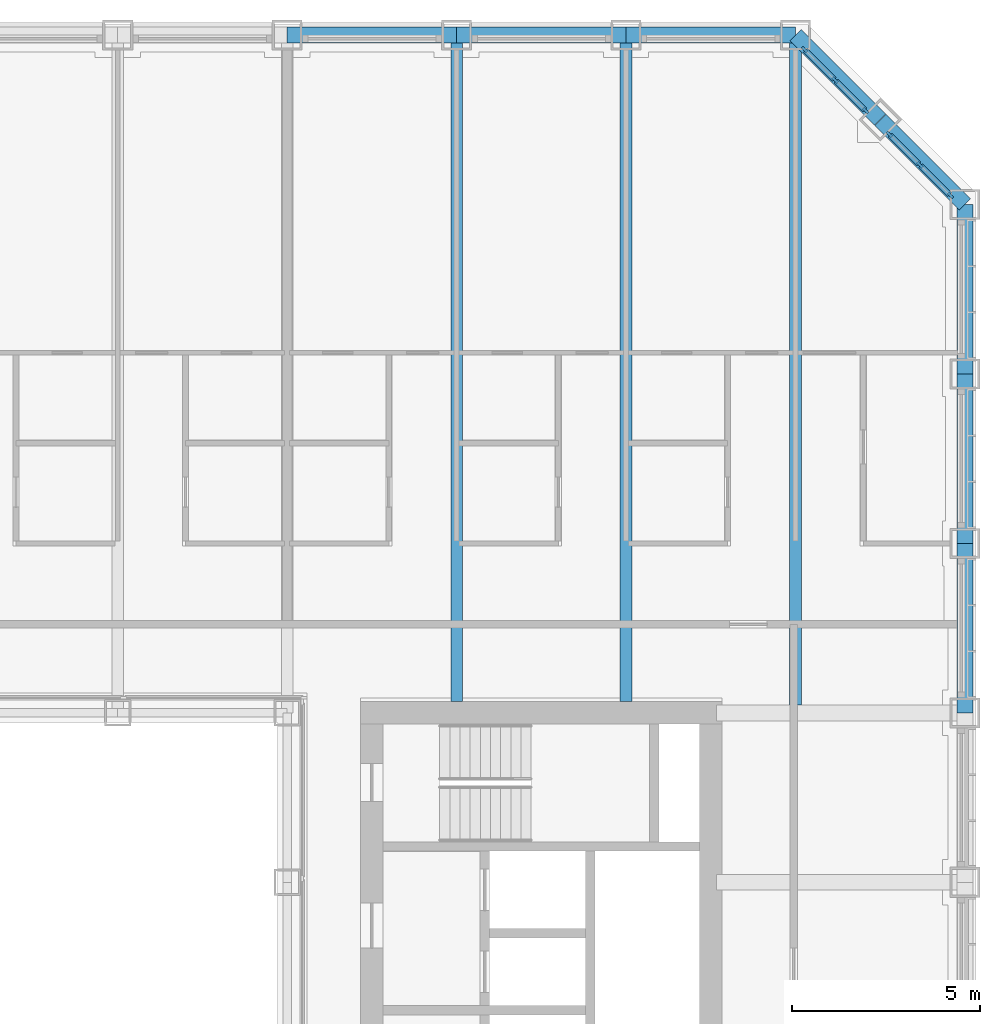
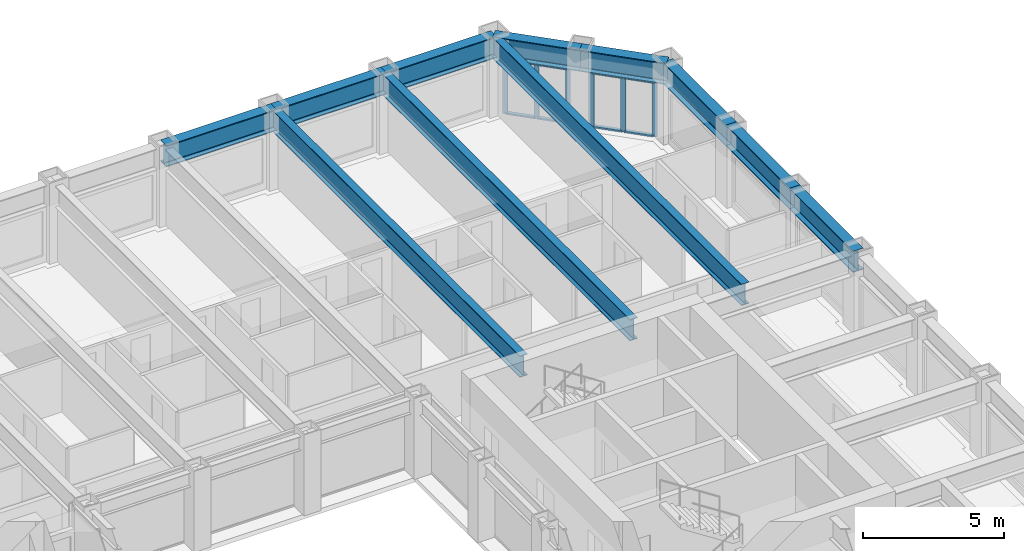
# One storey, part 7 of 21: 14 members, 11 beams, 2 elements without a shape of their own.
"""IFC4 building model written with IfcOpenShell, lengths in metres."""

import ifcopenshell
import ifcopenshell.guid

model = None  # the IFC model being written
_history = None  # IfcOwnerHistory: only IFC2X3 demands one
_inside = {}  # id of a spatial element -> (the spatial element, [elements in it])
_under = {}  # id of a project, library or spatial element -> (it, [spatial elements below it])
_declared = {}  # id of a project -> (the project, [libraries it declares])
_typed = {}  # id of a type object -> (the type object, [elements of that type])
_made_of = {}  # id of a material, layer set ... -> (it, [elements and type objects made of it])


def new_model(schema):
    """Start an empty IFC model of exactly this schema.

    Asked for "IFC4X3", IfcOpenShell would pick the latest addendum, in which some entities
    have other attributes; the version numbers below select the first issue.
    IFC2X3 requires an IfcOwnerHistory on every rooted entity: one is made here for all.
    """
    global model, _history
    if schema == "IFC4X3":
        model = ifcopenshell.file(schema_version=(4, 3, 0, 0))
    else:
        model = ifcopenshell.file(schema=schema)
    _inside.clear()
    _under.clear()
    _declared.clear()
    _typed.clear()
    _made_of.clear()
    _history = None
    if model.schema == "IFC2X3":
        org = make("IfcOrganization", Name="unknown")
        user = make(
            "IfcPersonAndOrganization",
            ThePerson=make("IfcPerson", FamilyName="unknown"),
            TheOrganization=org,
        )
        app = make(
            "IfcApplication",
            ApplicationDeveloper=org,
            Version="unknown",
            ApplicationFullName="unknown",
            ApplicationIdentifier="unknown",
        )
        _history = make(
            "IfcOwnerHistory",
            OwningUser=user,
            OwningApplication=app,
            ChangeAction="ADDED",
            CreationDate=0,
        )
    return model


def make(cls, **values):
    """One entity of the class cls with the attributes given. An attribute that is None is left unset."""
    return model.create_entity(
        cls, **{name: value for name, value in values.items() if value is not None}
    )


def rooted(cls, **values):
    """An entity with a GlobalId (a new one), such as an element, a storey or a relation."""
    return make(cls, GlobalId=ifcopenshell.guid.new(), OwnerHistory=_history, **values)


def si_unit(unit_type, name, prefix=None):
    """IfcSIUnit, for example si_unit("LENGTHUNIT", "METRE", prefix="MILLI")."""
    return make("IfcSIUnit", UnitType=unit_type, Prefix=prefix, Name=name)


def assignment(units):
    """IfcUnitAssignment: the units of a project."""
    return None if units is None else make("IfcUnitAssignment", Units=units)


def point(xyz):
    """IfcCartesianPoint."""
    return None if xyz is None else make("IfcCartesianPoint", Coordinates=xyz)


def direction(xyz):
    """IfcDirection."""
    return None if xyz is None else make("IfcDirection", DirectionRatios=xyz)


def frame(location, z_axis=None, x_axis=None):
    """IfcAxis2Placement3D, a coordinate frame: its origin and axes. An axis left out is left unset."""
    return make(
        "IfcAxis2Placement3D",
        Location=point(location),
        Axis=direction(z_axis),
        RefDirection=direction(x_axis),
    )


def frame_2d(location, x_axis=None):
    """IfcAxis2Placement2D, a coordinate frame in the plane: its origin and x axis."""
    return make(
        "IfcAxis2Placement2D", Location=point(location), RefDirection=direction(x_axis)
    )


def origin():
    """The frame at (0, 0, 0) with its axes left unset."""
    return frame((0.0, 0.0, 0.0))


def origin_2d():
    """The frame at (0, 0) in the plane with its x axis left unset."""
    return frame_2d((0.0, 0.0))


def place(relative_to, where):
    """IfcLocalPlacement: puts the frame where relative to a parent placement (None: the world)."""
    return make(
        "IfcLocalPlacement", PlacementRelTo=relative_to, RelativePlacement=where
    )


def context(
    kind, dimensions, precision=None, world=None, true_north=None, identifier=None
):
    """IfcGeometricRepresentationContext, for example the 3D "Model" context."""
    return make(
        "IfcGeometricRepresentationContext",
        ContextIdentifier=identifier,
        ContextType=kind,
        CoordinateSpaceDimension=dimensions,
        Precision=precision,
        WorldCoordinateSystem=world,
        TrueNorth=true_north,
    )


def subcontext(parent, identifier, kind, view, scale=None):
    """IfcGeometricRepresentationSubContext, for example "Body" below "Model"."""
    return make(
        "IfcGeometricRepresentationSubContext",
        ContextIdentifier=identifier,
        ContextType=kind,
        ParentContext=parent,
        TargetScale=scale,
        TargetView=view,
    )


def project(units=None, contexts=None):
    """IfcProject with its units and contexts."""
    return rooted(
        "IfcProject",
        Name="project",
        RepresentationContexts=contexts,
        UnitsInContext=assignment(units),
    )


def spatial(cls, under=None, at=None, **own):
    """A site, building, storey or space (cls), placed at a placement, below another one or the project."""
    s = rooted(cls, ObjectPlacement=at, **own)
    if under is not None:
        _under.setdefault(under.id(), (under, []))[1].append(s)
    return s


def profile(cls, at=None, kind="AREA", **sizes):
    """A parametric profile (cls). Its sizes go by their IFC names, for example OverallWidth=200.0."""
    return make(cls, ProfileType=kind, Position=at, **sizes)


def rectangle(**sizes):
    """IfcRectangleProfileDef."""
    return profile("IfcRectangleProfileDef", **sizes)


def i_section(**sizes):
    """IfcIShapeProfileDef."""
    return profile("IfcIShapeProfileDef", **sizes)


def extrude(swept, where, along, depth):
    """IfcExtrudedAreaSolid: the profile swept, set in the frame where, extruded along a direction by depth."""
    return make(
        "IfcExtrudedAreaSolid",
        SweptArea=swept,
        Position=where,
        ExtrudedDirection=direction(along),
        Depth=depth,
    )


def shape(context_of_items, identifier, shape_type, items):
    """IfcShapeRepresentation: the items that make up one representation, for example the "Body"."""
    return make(
        "IfcShapeRepresentation",
        ContextOfItems=context_of_items,
        RepresentationIdentifier=identifier,
        RepresentationType=shape_type,
        Items=items,
    )


def material(Name=None, Category=None):
    """IfcMaterial."""
    return make("IfcMaterial", Name=Name, Category=Category)


def material_profile(
    of_material, cross_section, Name=None, Category=None, Priority=None
):
    """IfcMaterialProfile: a cross section and its material."""
    return make(
        "IfcMaterialProfile",
        Name=Name,
        Material=of_material,
        Profile=cross_section,
        Priority=Priority,
        Category=Category,
    )


def profile_set(profiles, Name=None, composite=None):
    """IfcMaterialProfileSet."""
    return make(
        "IfcMaterialProfileSet",
        Name=Name,
        MaterialProfiles=profiles,
        CompositeProfile=composite,
    )


def made_of(thing, what):
    """Note that an element or type object is made of a material, layer set ...; save() writes the relation."""
    if what is not None:
        _made_of.setdefault(what.id(), (what, []))[1].append(thing)
    return thing


def type_object(cls, material=None, **own):
    """A type object (cls), such as IfcWallType, which elements share."""
    return made_of(rooted(cls, **own), material)


def element(
    cls,
    number,
    at=None,
    inside=None,
    cuts=None,
    type_object=None,
    material=None,
    context=None,
    identifier="Body",
    shape_type=None,
    held_by="IfcProductDefinitionShape",
    body=None,
    shapes=None,
    **own,
):
    """One element of the class cls, such as IfcWall. Its Tag is "e" and its number.

    at: its placement. inside: the storey or other place that contains it. cuts: it is an
    opening in that element (IfcRelVoidsElement). A single representation is given by context,
    identifier, shape_type and body (its items); several are given by shapes. held_by: the class
    of the entity that holds the representations. save() writes the other relations.
    """
    e = rooted(cls, Tag="e%d" % number, ObjectPlacement=at, **own)
    if body is not None:
        shapes = [shape(context, identifier, shape_type, body)]
    if shapes is not None:
        e.Representation = make(held_by, Representations=shapes)
    if inside is not None:
        _inside.setdefault(inside.id(), (inside, []))[1].append(e)
    if cuts is not None:
        rooted(
            "IfcRelVoidsElement", RelatingBuildingElement=cuts, RelatedOpeningElement=e
        )
    if type_object is not None:
        _typed.setdefault(type_object.id(), (type_object, []))[1].append(e)
    return made_of(e, material)


def aggregate(whole, parts):
    """IfcRelAggregates: a whole, such as a stair, and the parts it consists of."""
    return rooted("IfcRelAggregates", RelatingObject=whole, RelatedObjects=parts)


def save(model, path):
    """Write the relations noted so far, then the file.

    IfcRelAggregates (storeys below a building ...), IfcRelContainedInSpatialStructure (elements
    in a storey), IfcRelDefinesByType, IfcRelAssociatesMaterial and IfcRelDeclares: one each for
    every whole, place, type object, material and project.
    """
    for whole, parts in _under.values():
        aggregate(whole, parts)
    for where, things in _inside.values():
        rooted(
            "IfcRelContainedInSpatialStructure",
            RelatedElements=things,
            RelatingStructure=where,
        )
    for kind, things in _typed.values():
        rooted("IfcRelDefinesByType", RelatedObjects=things, RelatingType=kind)
    for what, things in _made_of.values():
        rooted("IfcRelAssociatesMaterial", RelatedObjects=things, RelatingMaterial=what)
    for by, libraries in _declared.values():
        rooted("IfcRelDeclares", RelatingContext=by, RelatedDefinitions=libraries)
    model.write(path)


model = new_model("IFC4")

# Units and contexts
model_context = context("Model", 3, precision=1e-05, world=origin(), true_north=direction((0.0, 1.0)))
body_context = subcontext(model_context, "Body", "Model", "MODEL_VIEW")
ifc_project = project(units=[si_unit("LENGTHUNIT", "METRE"), si_unit("AREAUNIT", "SQUARE_METRE"), si_unit("VOLUMEUNIT", "CUBIC_METRE"), si_unit("PLANEANGLEUNIT", "RADIAN"), si_unit("MASSUNIT", "GRAM", prefix="KILO")], contexts=[model_context])

# Site, building, storey
site_placement = place(None, origin())
site = spatial("IfcSite", under=ifc_project, at=site_placement, CompositionType="ELEMENT")
building_placement = place(site_placement, origin())
building = spatial("IfcBuilding", under=site, at=building_placement, Name="Msasa Ring Tower", CompositionType="ELEMENT")
storey_placement = place(building_placement, frame((0.0, 0.0, 93.0)))
storey = spatial("IfcBuildingStorey", under=building, at=storey_placement, Name="L24", CompositionType="ELEMENT", Elevation=93.0)

# Curtain wall, members
ifc_material_1 = material(Name="Aluminium curtain wall with clear glass", Category="aluminium")
curtain_wall_type = type_object("IfcCurtainWallType", Name="CW-C CHAMFER CORNER CURTAIN WALL", PredefinedType="NOTDEFINED", material=ifc_material_1)
curtain_wall_1_placement = place(storey_placement, origin())
curtain_wall_1 = element("IfcCurtainWall", 1, at=curtain_wall_1_placement, inside=storey, type_object=curtain_wall_type, Name="Chamfer corner curtain wall NE L24", PredefinedType="NOTDEFINED")
ifc_material_2 = material(Name="Aluminium mullion", Category="aluminium")
ifc_material_profile_1 = material_profile(ifc_material_2, rectangle(XDim=0.06494140625, YDim=0.179931640625, at=origin_2d()), Name="AL 65x180")
ifc_profile_set_1 = profile_set([ifc_material_profile_1], Name="Aluminium mullion")
member_type_1 = type_object("IfcMemberType", Name="CW-C MULLION 65x180", PredefinedType="MULLION", material=ifc_profile_set_1)
member_1_placement = place(storey_placement, frame((22.119873046875, 22.73876953125, 0.0), z_axis=(0.0, 0.0, 1.0), x_axis=(-0.707106781187, -0.707106781187, 0.0)))
member_1 = element("IfcMember", 2, at=member_1_placement, type_object=member_type_1, Name="CW-C mullion 1", PredefinedType="MULLION", context=body_context, shape_type="SweptSolid", body=[
    extrude(rectangle(XDim=0.06494140625, YDim=0.179931640625, at=origin_2d()), origin(), (0.0, 0.0, 1.0), 2.37890625),
])
member_2_placement = place(storey_placement, frame((21.30419921875, 23.55419921875, 0.0), z_axis=(0.0, 0.0, 1.0), x_axis=(-0.707106781187, -0.707106781187, 0.0)))
member_2 = element("IfcMember", 3, at=member_2_placement, type_object=member_type_1, Name="CW-C mullion 2", PredefinedType="MULLION", context=body_context, shape_type="SweptSolid", body=[
    extrude(rectangle(XDim=0.06494140625, YDim=0.179931640625, at=origin_2d()), origin(), (0.0, 0.0, 1.0), 2.37890625),
])
member_3_placement = place(storey_placement, frame((20.48876953125, 24.369873046875, 0.0), z_axis=(0.0, 0.0, 1.0), x_axis=(-0.707106781187, -0.707106781187, 0.0)))
member_3 = element("IfcMember", 4, at=member_3_placement, type_object=member_type_1, Name="CW-C mullion 3", PredefinedType="MULLION", context=body_context, shape_type="SweptSolid", body=[
    extrude(rectangle(XDim=0.06494140625, YDim=0.179931640625, at=origin_2d()), origin(), (0.0, 0.0, 1.0), 2.37890625),
])

curtain_wall_2_placement = place(storey_placement, origin())
curtain_wall_2 = element("IfcCurtainWall", 5, at=curtain_wall_2_placement, inside=storey, type_object=curtain_wall_type, Name="Chamfer corner curtain wall NE L24", PredefinedType="NOTDEFINED")
member_4_placement = place(storey_placement, frame((24.369873046875, 20.48876953125, 0.0), z_axis=(0.0, 0.0, 1.0), x_axis=(-0.707106781187, -0.707106781187, 0.0)))
member_4 = element("IfcMember", 6, at=member_4_placement, type_object=member_type_1, Name="CW-C mullion 1", PredefinedType="MULLION", context=body_context, shape_type="SweptSolid", body=[
    extrude(rectangle(XDim=0.06494140625, YDim=0.179931640625, at=origin_2d()), origin(), (0.0, 0.0, 1.0), 2.37890625),
])
member_5_placement = place(storey_placement, frame((23.55419921875, 21.30419921875, 0.0), z_axis=(0.0, 0.0, 1.0), x_axis=(-0.707106781187, -0.707106781187, 0.0)))
member_5 = element("IfcMember", 7, at=member_5_placement, type_object=member_type_1, Name="CW-C mullion 2", PredefinedType="MULLION", context=body_context, shape_type="SweptSolid", body=[
    extrude(rectangle(XDim=0.06494140625, YDim=0.179931640625, at=origin_2d()), origin(), (0.0, 0.0, 1.0), 2.37890625),
])
member_6_placement = place(storey_placement, frame((22.73876953125, 22.119873046875, 0.0), z_axis=(0.0, 0.0, 1.0), x_axis=(-0.707106781187, -0.707106781187, 0.0)))
member_6 = element("IfcMember", 8, at=member_6_placement, type_object=member_type_1, Name="CW-C mullion 3", PredefinedType="MULLION", context=body_context, shape_type="SweptSolid", body=[
    extrude(rectangle(XDim=0.06494140625, YDim=0.179931640625, at=origin_2d()), origin(), (0.0, 0.0, 1.0), 2.37890625),
])

# Member
ifc_material_3 = material(Name="Aluminium transom", Category="aluminium")
ifc_material_profile_2 = material_profile(ifc_material_3, rectangle(XDim=0.139892578125, YDim=0.06494140625, at=origin_2d()), Name="AL 65x140")
ifc_profile_set_2 = profile_set([ifc_material_profile_2], Name="Aluminium transom")
member_type_2 = type_object("IfcMemberType", Name="CW-C TRANSOM 65x140", PredefinedType="USERDEFINED", material=ifc_profile_set_2)
member_7_placement = place(storey_placement, frame((22.096923828125, 22.76171875, 0.032470703125), z_axis=(-0.707106781187, 0.707106781187, 0.0), x_axis=(-0.707106781187, -0.707106781187, 0.0)))
member_7 = element("IfcMember", 9, at=member_7_placement, type_object=member_type_2, Name="CW-C transom 1.1", ObjectType="TRANSOM", PredefinedType="USERDEFINED", context=body_context, shape_type="SweptSolid", body=[
    extrude(rectangle(XDim=0.139892578125, YDim=0.06494140625, at=origin_2d()), origin(), (0.0, 0.0, 1.0), 1.08837890625),
])

member_8_placement = place(storey_placement, frame((22.096923828125, 22.76171875, 2.346435546875), z_axis=(-0.707106781187, 0.707106781187, 0.0), x_axis=(-0.707106781187, -0.707106781187, 0.0)))
member_8 = element("IfcMember", 10, at=member_8_placement, type_object=member_type_2, Name="CW-C transom 1.2", ObjectType="TRANSOM", PredefinedType="USERDEFINED", context=body_context, shape_type="SweptSolid", body=[
    extrude(rectangle(XDim=0.139892578125, YDim=0.06494140625, at=origin_2d()), origin(), (0.0, 0.0, 1.0), 1.08837890625),
])

member_9_placement = place(storey_placement, frame((21.28125, 23.577392578125, 0.032470703125), z_axis=(-0.707106781187, 0.707106781187, 0.0), x_axis=(-0.707106781187, -0.707106781187, 0.0)))
member_9 = element("IfcMember", 11, at=member_9_placement, type_object=member_type_2, Name="CW-C transom 2.1", ObjectType="TRANSOM", PredefinedType="USERDEFINED", context=body_context, shape_type="SweptSolid", body=[
    extrude(rectangle(XDim=0.139892578125, YDim=0.06494140625, at=origin_2d()), origin(), (0.0, 0.0, 1.0), 1.08837890625),
])

member_10_placement = place(storey_placement, frame((21.28125, 23.577392578125, 2.346435546875), z_axis=(-0.707106781187, 0.707106781187, 0.0), x_axis=(-0.707106781187, -0.707106781187, 0.0)))
member_10 = element("IfcMember", 12, at=member_10_placement, type_object=member_type_2, Name="CW-C transom 2.2", ObjectType="TRANSOM", PredefinedType="USERDEFINED", context=body_context, shape_type="SweptSolid", body=[
    extrude(rectangle(XDim=0.139892578125, YDim=0.06494140625, at=origin_2d()), origin(), (0.0, 0.0, 1.0), 1.08837890625),
])

aggregate(curtain_wall_1, [member_1, member_2, member_3, member_7, member_8, member_9, member_10])

member_11_placement = place(storey_placement, frame((24.346923828125, 20.51171875, 0.032470703125), z_axis=(-0.707106781187, 0.707106781187, 0.0), x_axis=(-0.707106781187, -0.707106781187, 0.0)))
member_11 = element("IfcMember", 13, at=member_11_placement, type_object=member_type_2, Name="CW-C transom 1.1", ObjectType="TRANSOM", PredefinedType="USERDEFINED", context=body_context, shape_type="SweptSolid", body=[
    extrude(rectangle(XDim=0.139892578125, YDim=0.06494140625, at=origin_2d()), origin(), (0.0, 0.0, 1.0), 1.08837890625),
])

member_12_placement = place(storey_placement, frame((24.346923828125, 20.51171875, 2.346435546875), z_axis=(-0.707106781187, 0.707106781187, 0.0), x_axis=(-0.707106781187, -0.707106781187, 0.0)))
member_12 = element("IfcMember", 14, at=member_12_placement, type_object=member_type_2, Name="CW-C transom 1.2", ObjectType="TRANSOM", PredefinedType="USERDEFINED", context=body_context, shape_type="SweptSolid", body=[
    extrude(rectangle(XDim=0.139892578125, YDim=0.06494140625, at=origin_2d()), origin(), (0.0, 0.0, 1.0), 1.08837890625),
])

member_13_placement = place(storey_placement, frame((23.53125, 21.327392578125, 0.032470703125), z_axis=(-0.707106781187, 0.707106781187, 0.0), x_axis=(-0.707106781187, -0.707106781187, 0.0)))
member_13 = element("IfcMember", 15, at=member_13_placement, type_object=member_type_2, Name="CW-C transom 2.1", ObjectType="TRANSOM", PredefinedType="USERDEFINED", context=body_context, shape_type="SweptSolid", body=[
    extrude(rectangle(XDim=0.139892578125, YDim=0.06494140625, at=origin_2d()), origin(), (0.0, 0.0, 1.0), 1.08837890625),
])

member_14_placement = place(storey_placement, frame((23.53125, 21.327392578125, 2.346435546875), z_axis=(-0.707106781187, 0.707106781187, 0.0), x_axis=(-0.707106781187, -0.707106781187, 0.0)))
member_14 = element("IfcMember", 16, at=member_14_placement, type_object=member_type_2, Name="CW-C transom 2.2", ObjectType="TRANSOM", PredefinedType="USERDEFINED", context=body_context, shape_type="SweptSolid", body=[
    extrude(rectangle(XDim=0.139892578125, YDim=0.06494140625, at=origin_2d()), origin(), (0.0, 0.0, 1.0), 1.08837890625),
])

aggregate(curtain_wall_2, [member_4, member_5, member_6, member_11, member_12, member_13, member_14])

# Beams
ifc_material_4 = material(Name="Steel S355", Category="steel")
ifc_material_profile_3 = material_profile(ifc_material_4, i_section(OverallWidth=0.3076171875, OverallDepth=0.926513671875, WebThickness=0.01953125, FlangeThickness=0.031982421875, FilletRadius=0.01904296875, at=origin_2d()), Name="UB 914x305x289")
ifc_profile_set_3 = profile_set([ifc_material_profile_3], Name="Steel S355")
beam_type_1 = type_object("IfcBeamType", Name="FB3 UB 914x305x289", PredefinedType="BEAM", material=ifc_profile_set_3)
for number, where, z_axis, x_axis, name in (
    (17, (11.25, 24.75, 2.836669921875), (0.0, -1.0, 0.0), (1.0, 0.0, 0.0), "Floor beam N+11.25 under L25"),
    (18, (15.75, 24.75, 2.836669921875), (0.0, -1.0, 0.0), (1.0, 0.0, 0.0), "Floor beam N+15.75 under L25"),
):
    element("IfcBeam", number, at=place(storey_placement, frame(where, z_axis=z_axis, x_axis=x_axis)), inside=storey, type_object=beam_type_1, Name=name, PredefinedType="BEAM", context=body_context, shape_type="SweptSolid", body=[
        extrude(i_section(OverallWidth=0.3076171875, OverallDepth=0.926513671875, WebThickness=0.01953125, FlangeThickness=0.031982421875, FilletRadius=0.01904296875, at=origin_2d()), origin(), (0.0, 0.0, 1.0), 17.699951171875),
    ])
beam_placement = place(storey_placement, frame((20.25, 24.75, 2.836669921875), z_axis=(0.0, -1.0, 0.0), x_axis=(1.0, 0.0, 0.0)))
element("IfcBeam", 19, at=beam_placement, inside=storey, type_object=beam_type_1, Name="Floor beam N+20.25 under L25", PredefinedType="BEAM", context=body_context, shape_type="SweptSolid", body=[
    extrude(i_section(OverallWidth=0.3076171875, OverallDepth=0.926513671875, WebThickness=0.01953125, FlangeThickness=0.031982421875, FilletRadius=0.01904296875, at=origin_2d()), origin(), (0.0, 0.0, 1.0), 17.789794921875),
])
ifc_material_5 = material(Name="Steel S355", Category="steel")
ifc_material_profile_4 = material_profile(ifc_material_5, i_section(OverallWidth=0.42041015625, OverallDepth=0.9208984375, WebThickness=0.021484375, FlangeThickness=0.03662109375, FilletRadius=0.024169921875, at=origin_2d()), Name="UB 914x419x388")
ifc_profile_set_4 = profile_set([ifc_material_profile_4], Name="Steel S355")
beam_type_2 = type_object("IfcBeamType", Name="SB1 UB 914x419x388", PredefinedType="SPANDREL", material=ifc_profile_set_4)
for number, where, z_axis, x_axis, name in (
    (20, (24.75, 6.75, 2.839599609375), (0.0, 1.0, 0.0), (-1.0, 0.0, 0.0), "Spandrel E+6.75 to E+11.25 under L25"),
    (21, (24.75, 11.25, 2.839599609375), (0.0, 1.0, 0.0), (-1.0, 0.0, 0.0), "Spandrel E+11.25 to E+15.75 under L25"),
    (22, (24.75, 15.75, 2.839599609375), (0.0, 1.0, 0.0), (-1.0, 0.0, 0.0), "Spandrel E+15.75 to E+20.25 under L25"),
):
    element("IfcBeam", number, at=place(storey_placement, frame(where, z_axis=z_axis, x_axis=x_axis)), inside=storey, type_object=beam_type_2, Name=name, PredefinedType="SPANDREL", context=body_context, shape_type="SweptSolid", body=[
        extrude(i_section(OverallWidth=0.42041015625, OverallDepth=0.9208984375, WebThickness=0.021484375, FlangeThickness=0.03662109375, FilletRadius=0.024169921875, at=origin_2d()), origin(), (0.0, 0.0, 1.0), 4.5),
    ])
for number, where, z_axis, x_axis, name in (
    (23, (24.75, 20.25, 2.839599609375), (-0.707106781187, 0.707106781187, 0.0), (-0.707106781187, -0.707106781187, 0.0), "Spandrel E+20.25 to NE under L25"),
    (24, (22.5, 22.5, 2.839599609375), (-0.707106781187, 0.707106781187, 0.0), (-0.707106781187, -0.707106781187, 0.0), "Spandrel NE to N+20.25 under L25"),
):
    element("IfcBeam", number, at=place(storey_placement, frame(where, z_axis=z_axis, x_axis=x_axis)), inside=storey, type_object=beam_type_2, Name=name, PredefinedType="SPANDREL", context=body_context, shape_type="SweptSolid", body=[
        extrude(i_section(OverallWidth=0.42041015625, OverallDepth=0.9208984375, WebThickness=0.021484375, FlangeThickness=0.03662109375, FilletRadius=0.024169921875, at=origin_2d()), origin(), (0.0, 0.0, 1.0), 3.181884765625),
    ])
for number, where, z_axis, x_axis, name in (
    (25, (20.25, 24.75, 2.839599609375), (-1.0, 0.0, 0.0), (0.0, -1.0, 0.0), "Spandrel N+20.25 to N+15.75 under L25"),
    (26, (15.75, 24.75, 2.839599609375), (-1.0, 0.0, 0.0), (0.0, -1.0, 0.0), "Spandrel N+15.75 to N+11.25 under L25"),
    (27, (11.25, 24.75, 2.839599609375), (-1.0, 0.0, 0.0), (0.0, -1.0, 0.0), "Spandrel N+11.25 to N+6.75 under L25"),
):
    element("IfcBeam", number, at=place(storey_placement, frame(where, z_axis=z_axis, x_axis=x_axis)), inside=storey, type_object=beam_type_2, Name=name, PredefinedType="SPANDREL", context=body_context, shape_type="SweptSolid", body=[
        extrude(i_section(OverallWidth=0.42041015625, OverallDepth=0.9208984375, WebThickness=0.021484375, FlangeThickness=0.03662109375, FilletRadius=0.024169921875, at=origin_2d()), origin(), (0.0, 0.0, 1.0), 4.5),
    ])

save(model, "model.ifc")
